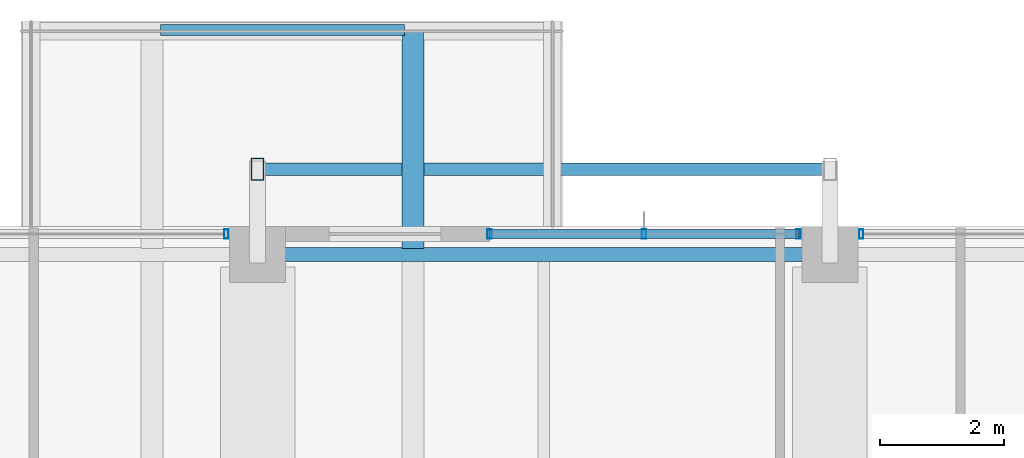
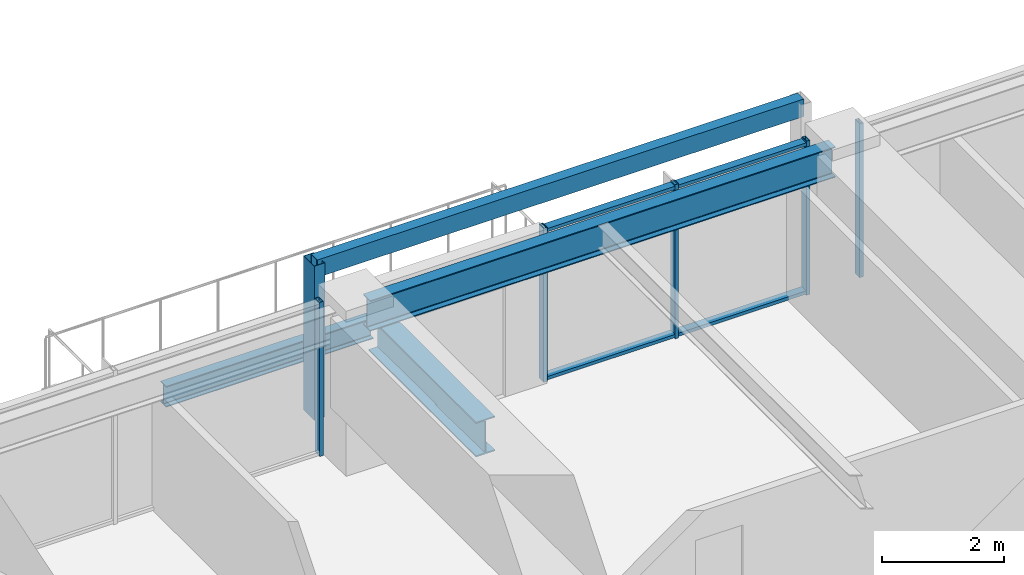
# One storey, part 20 of 37: 9 members, 3 beams, 3 elements without a shape of their own.
"""IFC4 building model written with IfcOpenShell, lengths in metres."""

from ifc_helpers import new_model, si_unit, direction, frame, origin, origin_2d, place, context, subcontext, project, spatial, hollow_rectangle, i_section, extrude, material, material_profile, profile_set, type_object, element, aggregate, save


model = new_model("IFC4")

# Units and contexts
model_context = context("Model", 3, precision=1e-05, world=origin(), true_north=direction((0.0, 1.0)))
body_context = subcontext(model_context, "Body", "Model", "MODEL_VIEW")
ifc_project = project(units=[si_unit("LENGTHUNIT", "METRE"), si_unit("AREAUNIT", "SQUARE_METRE"), si_unit("VOLUMEUNIT", "CUBIC_METRE"), si_unit("PLANEANGLEUNIT", "RADIAN"), si_unit("MASSUNIT", "GRAM", prefix="KILO")], contexts=[model_context])

# Site, building, storey
site_placement = place(None, origin())
site = spatial("IfcSite", under=ifc_project, at=site_placement, CompositionType="ELEMENT")
building_placement = place(site_placement, origin())
building = spatial("IfcBuilding", under=site, at=building_placement, Name="Kolvaren Belvedere", CompositionType="ELEMENT")
storey_placement = place(building_placement, frame((0.0, 0.0, 186.60009765625)))
storey = spatial("IfcBuildingStorey", under=building, at=storey_placement, Name="L54", CompositionType="ELEMENT", Elevation=186.60009765625)

# Beams
ifc_material_1 = material(Name="Structural steel ASTM A992 Grade 50", Category="steel")
ifc_material_profile_1 = material_profile(ifc_material_1, i_section(OverallWidth=0.35498046875, OverallDepth=0.696044921875, WebThickness=0.015380859375, FlangeThickness=0.02490234375, FilletRadius=0.02197265625, at=origin_2d()), Name="W27X146")
ifc_profile_set_1 = profile_set([ifc_material_profile_1], Name="Structural steel ASTM A992 Grade 50")
beam_type_1 = type_object("IfcBeamType", Name="BM-CANT-BAL", PredefinedType="BEAM", material=ifc_profile_set_1)
beam_1_placement = place(storey_placement, frame((-2.10009765625, 20.044921875, -0.568115234375), z_axis=(0.0, 1.0, 0.0), x_axis=(-1.0, 0.0, 0.0)))
element("IfcBeam", 1, at=beam_1_placement, inside=storey, type_object=beam_type_1, Name="L54 Planted Balcony Cantilever SPIRAL-08-N-2", PredefinedType="BEAM", context=body_context, shape_type="SweptSolid", body=[
    extrude(i_section(OverallWidth=0.35498046875, OverallDepth=0.696044921875, WebThickness=0.015380859375, FlangeThickness=0.02490234375, FilletRadius=0.02197265625, at=origin_2d()), origin(), (0.0, 0.0, 1.0), 3.51513671875),
])
ifc_material_2 = material(Name="Structural steel ASTM A992 Grade 50", Category="steel")
ifc_material_profile_2 = material_profile(ifc_material_2, i_section(OverallWidth=0.180908203125, OverallDepth=0.4169921875, WebThickness=0.010986328125, FlangeThickness=0.018310546875, FilletRadius=0.013916015625, at=origin_2d()), Name="W16X57")
ifc_profile_set_2 = profile_set([ifc_material_profile_2], Name="Structural steel ASTM A992 Grade 50")
beam_type_2 = type_object("IfcBeamType", Name="BM-EDGE-W16X57", PredefinedType="BEAM", material=ifc_profile_set_2)
beam_2_placement = place(storey_placement, frame((-6.159912109375, 23.56005859375, -0.4287109375), z_axis=(1.0, 0.0, 0.0), x_axis=(0.0, 1.0, 0.0)))
element("IfcBeam", 2, at=beam_2_placement, inside=storey, type_object=beam_type_2, Name="L54 Balcony Tip Header Beam SPIRAL-08-N", PredefinedType="BEAM", context=body_context, shape_type="SweptSolid", body=[
    extrude(i_section(OverallWidth=0.180908203125, OverallDepth=0.4169921875, WebThickness=0.010986328125, FlangeThickness=0.018310546875, FilletRadius=0.013916015625, at=origin_2d()), origin(), (0.0, 0.0, 1.0), 3.919921875),
])
ifc_material_3 = material(Name="Structural steel ASTM A992 Grade 50", Category="steel")
ifc_material_profile_3 = material_profile(ifc_material_3, i_section(OverallWidth=0.22900390625, OverallDepth=0.612060546875, WebThickness=0.011962890625, FlangeThickness=0.01953125, FilletRadius=0.01806640625, at=origin_2d()), Name="W24X84")
ifc_profile_set_3 = profile_set([ifc_material_profile_3], Name="Structural steel ASTM A992 Grade 50")
beam_type_3 = type_object("IfcBeamType", Name="BM-SPAN-W24X84", PredefinedType="SPANDREL", material=ifc_profile_set_3)
beam_3_placement = place(storey_placement, frame((4.3974609375, 19.949951171875, 2.77392578125), z_axis=(-1.0, 0.0, 0.0), x_axis=(0.0, -1.0, 0.0)))
element("IfcBeam", 3, at=beam_3_placement, inside=storey, type_object=beam_type_3, Name="L54 Perimeter Spandrel N3-N2", PredefinedType="SPANDREL", context=body_context, shape_type="SweptSolid", body=[
    extrude(i_section(OverallWidth=0.22900390625, OverallDepth=0.612060546875, WebThickness=0.011962890625, FlangeThickness=0.01953125, FilletRadius=0.01806640625, at=origin_2d()), origin(), (0.0, 0.0, 1.0), 8.794921875),
])

# Curtain wall, member
ifc_material_4 = material(Name="Anodised pale-metal aluminium AA 6063-T6", Category="aluminium")
curtain_wall_type = type_object("IfcCurtainWallType", Name="CW-Z5-HIGH", PredefinedType="NOTDEFINED", material=ifc_material_4)
curtain_wall_1_placement = place(storey_placement, origin())
curtain_wall_1 = element("IfcCurtainWall", 4, at=curtain_wall_1_placement, inside=storey, type_object=curtain_wall_type, Name="L54 Unitised Curtain Wall FCW-L54-N1", PredefinedType="NOTDEFINED")
ifc_material_5 = material(Name="Anodised pale-metal aluminium AA 6063-T6", Category="aluminium")
ifc_material_profile_4 = material_profile(ifc_material_5, hollow_rectangle(XDim=0.070068359375, YDim=0.14990234375, WallThickness=0.004150390625, at=origin_2d()), Name="ALU-MUL-150X70")
ifc_profile_set_4 = profile_set([ifc_material_profile_4], Name="Anodised pale-metal aluminium AA 6063-T6")
member_type_1 = type_object("IfcMemberType", Name="CW-MUL-150", PredefinedType="MULLION", material=ifc_profile_set_4)
member_1_placement = place(storey_placement, frame((-5.10498046875, 20.280029296875, 0.0), z_axis=(0.0, 0.0, 1.0), x_axis=(1.0, 0.0, 0.0)))
member_1 = element("IfcMember", 5, at=member_1_placement, type_object=member_type_1, Name="FCW-L54-N1 Unitised Mullion 3", PredefinedType="MULLION", context=body_context, shape_type="SweptSolid", body=[
    extrude(hollow_rectangle(XDim=0.070068359375, YDim=0.14990234375, WallThickness=0.004150390625, at=origin_2d()), origin(), (0.0, 0.0, 1.0), 3.079833984375),
])
aggregate(curtain_wall_1, [member_1])

# Curtain wall, members
curtain_wall_2_placement = place(storey_placement, origin())
curtain_wall_2 = element("IfcCurtainWall", 6, at=curtain_wall_2_placement, inside=storey, type_object=curtain_wall_type, Name="L54 Unitised Curtain Wall FCW-L54-N2-B1", PredefinedType="NOTDEFINED")
member_2_placement = place(storey_placement, frame((-0.8701171875, 20.280029296875, 0.0), z_axis=(0.0, 0.0, 1.0), x_axis=(1.0, 0.0, 0.0)))
member_2 = element("IfcMember", 7, at=member_2_placement, type_object=member_type_1, Name="FCW-L54-N2-B1 Unitised Mullion 1", PredefinedType="MULLION", context=body_context, shape_type="SweptSolid", body=[
    extrude(hollow_rectangle(XDim=0.070068359375, YDim=0.14990234375, WallThickness=0.004150390625, at=origin_2d()), origin(), (0.0, 0.0, 1.0), 3.079833984375),
])
member_3_placement = place(storey_placement, frame((1.612548828125, 20.280029296875, 0.0), z_axis=(0.0, 0.0, 1.0), x_axis=(1.0, 0.0, 0.0)))
member_3 = element("IfcMember", 8, at=member_3_placement, type_object=member_type_1, Name="FCW-L54-N2-B1 Unitised Mullion 2", PredefinedType="MULLION", context=body_context, shape_type="SweptSolid", body=[
    extrude(hollow_rectangle(XDim=0.070068359375, YDim=0.14990234375, WallThickness=0.004150390625, at=origin_2d()), origin(), (0.0, 0.0, 1.0), 3.079833984375),
])
member_4_placement = place(storey_placement, frame((4.094970703125, 20.280029296875, 0.0), z_axis=(0.0, 0.0, 1.0), x_axis=(1.0, 0.0, 0.0)))
member_4 = element("IfcMember", 9, at=member_4_placement, type_object=member_type_1, Name="FCW-L54-N2-B1 Unitised Mullion 3", PredefinedType="MULLION", context=body_context, shape_type="SweptSolid", body=[
    extrude(hollow_rectangle(XDim=0.070068359375, YDim=0.14990234375, WallThickness=0.004150390625, at=origin_2d()), origin(), (0.0, 0.0, 1.0), 3.079833984375),
])

# Curtain wall, member
curtain_wall_3_placement = place(storey_placement, origin())
curtain_wall_3 = element("IfcCurtainWall", 10, at=curtain_wall_3_placement, inside=storey, type_object=curtain_wall_type, Name="L54 Unitised Curtain Wall FCW-L54-N2-B2", PredefinedType="NOTDEFINED")
member_5_placement = place(storey_placement, frame((5.10498046875, 20.280029296875, 0.0), z_axis=(0.0, 0.0, 1.0), x_axis=(1.0, 0.0, 0.0)))
member_5 = element("IfcMember", 11, at=member_5_placement, type_object=member_type_1, Name="FCW-L54-N2-B2 Unitised Mullion 1", PredefinedType="MULLION", context=body_context, shape_type="SweptSolid", body=[
    extrude(hollow_rectangle(XDim=0.070068359375, YDim=0.14990234375, WallThickness=0.004150390625, at=origin_2d()), origin(), (0.0, 0.0, 1.0), 3.079833984375),
])
aggregate(curtain_wall_3, [member_5])

# Member
ifc_material_6 = material(Name="Anodised pale-metal aluminium AA 6063-T6", Category="aluminium")
ifc_material_profile_5 = material_profile(ifc_material_6, hollow_rectangle(XDim=0.06494140625, YDim=0.14990234375, WallThickness=0.00390625, at=origin_2d()), Name="ALU-TRN-150X65")
ifc_profile_set_5 = profile_set([ifc_material_profile_5], Name="Anodised pale-metal aluminium AA 6063-T6")
member_type_2 = type_object("IfcMemberType", Name="CW-TRN-150", PredefinedType="USERDEFINED", material=ifc_profile_set_5)
member_6_placement = place(storey_placement, frame((-0.8701171875, 20.280029296875, 0.059814453125), z_axis=(1.0, 0.0, 0.0), x_axis=(0.0, 0.0, 1.0)))
member_6 = element("IfcMember", 12, at=member_6_placement, type_object=member_type_2, Name="FCW-L54-N2-B1 Sill Transom", ObjectType="TRANSOM", PredefinedType="USERDEFINED", context=body_context, shape_type="SweptSolid", body=[
    extrude(hollow_rectangle(XDim=0.06494140625, YDim=0.14990234375, WallThickness=0.00390625, at=origin_2d()), origin(), (0.0, 0.0, 1.0), 4.965087890625),
])

member_7_placement = place(storey_placement, frame((-0.8701171875, 20.280029296875, 3.02001953125), z_axis=(1.0, 0.0, 0.0), x_axis=(0.0, 0.0, 1.0)))
member_7 = element("IfcMember", 13, at=member_7_placement, type_object=member_type_2, Name="FCW-L54-N2-B1 Head Transom", ObjectType="TRANSOM", PredefinedType="USERDEFINED", context=body_context, shape_type="SweptSolid", body=[
    extrude(hollow_rectangle(XDim=0.06494140625, YDim=0.14990234375, WallThickness=0.00390625, at=origin_2d()), origin(), (0.0, 0.0, 1.0), 4.965087890625),
])

aggregate(curtain_wall_2, [member_2, member_3, member_4, member_6, member_7])

# Members
ifc_material_7 = material(Name="Anodised pale-metal aluminium AA 6063-T6", Category="aluminium")
ifc_material_profile_6 = material_profile(ifc_material_7, hollow_rectangle(XDim=0.199951171875, YDim=0.35009765625, WallThickness=0.007568359375, at=origin_2d()), Name="ALU-PF-350X200")
ifc_profile_set_6 = profile_set([ifc_material_profile_6], Name="Anodised pale-metal aluminium AA 6063-T6")
member_type_3 = type_object("IfcMemberType", Name="PF-FRAME-350", PredefinedType="USERDEFINED", material=ifc_profile_set_6)
member_8_placement = place(storey_placement, frame((-4.60009765625, 21.320068359375, 0.0), z_axis=(0.0, 0.0, 1.0), x_axis=(1.0, 0.0, 0.0)))
element("IfcMember", 14, at=member_8_placement, inside=storey, type_object=member_type_3, Name="L54 Outboard Picture-Frame Vertical N1", ObjectType="PICTURE FRAME FIN", PredefinedType="USERDEFINED", context=body_context, shape_type="SweptSolid", body=[
    extrude(hollow_rectangle(XDim=0.199951171875, YDim=0.35009765625, WallThickness=0.007568359375, at=origin_2d()), origin(), (0.0, 0.0, 1.0), 3.079833984375),
])
member_9_placement = place(storey_placement, frame((-4.60009765625, 21.320068359375, 2.949951171875), z_axis=(1.0, 0.0, 0.0), x_axis=(0.0, 1.0, 0.0)))
element("IfcMember", 15, at=member_9_placement, inside=storey, type_object=member_type_3, Name="L54 Outboard Picture-Frame Head N", ObjectType="PICTURE FRAME FIN", PredefinedType="USERDEFINED", context=body_context, shape_type="SweptSolid", body=[
    extrude(hollow_rectangle(XDim=0.199951171875, YDim=0.35009765625, WallThickness=0.007568359375, at=origin_2d()), origin(), (0.0, 0.0, 1.0), 9.2001953125),
])

save(model, "model.ifc")
